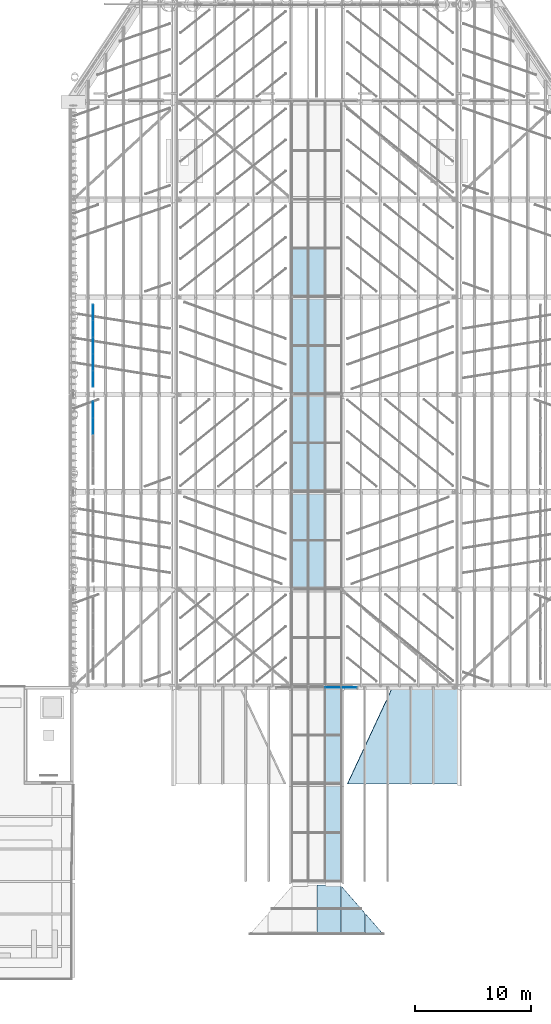
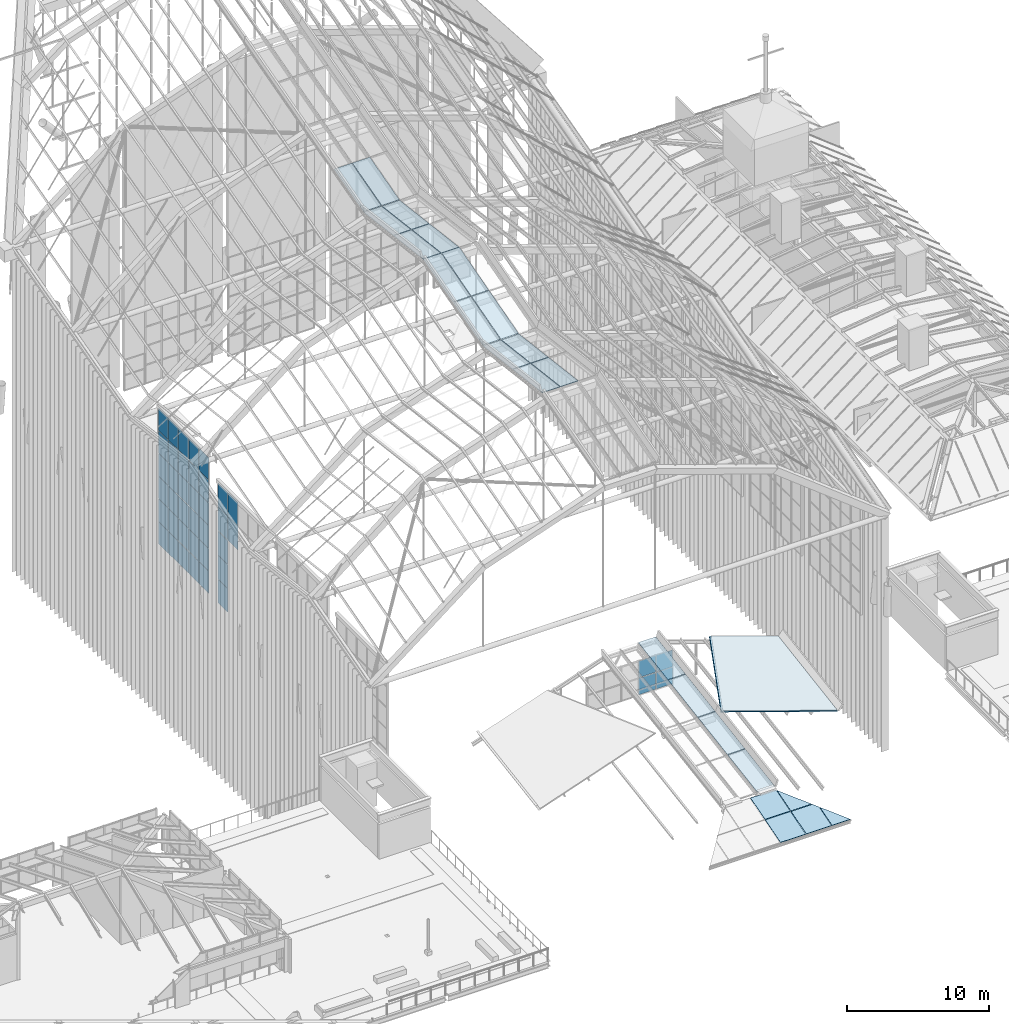
# One storey, part 72 of 126: 64 plates, 1 slab, 3 elements without a shape of their own.
"""IFC4 building model written with IfcOpenShell, lengths in metres."""

from ifc_helpers import new_model, si_unit, direction, frame, origin, origin_2d, place, context, subcontext, project, spatial, polyline, rectangle, outline, extrude, material, layer, layer_set, type_object, element, aggregate, save


model = new_model("IFC4")

# Units and contexts
model_context = context("Model", 3, precision=1e-05, world=origin(), true_north=direction((0.0, 1.0)))
body_context = subcontext(model_context, "Body", "Model", "MODEL_VIEW")
ifc_project = project(units=[si_unit("LENGTHUNIT", "METRE"), si_unit("AREAUNIT", "SQUARE_METRE"), si_unit("VOLUMEUNIT", "CUBIC_METRE"), si_unit("PLANEANGLEUNIT", "RADIAN"), si_unit("MASSUNIT", "GRAM", prefix="KILO")], contexts=[model_context])

# Site, building, storey
site_placement = place(None, origin())
site = spatial("IfcSite", under=ifc_project, at=site_placement, CompositionType="ELEMENT")
building_placement = place(site_placement, origin())
building = spatial("IfcBuilding", under=site, at=building_placement, Name="Sava Quay Ferry Terminal", CompositionType="ELEMENT")
storey_placement = place(building_placement, frame((0.0, 0.0, 15.0)))
storey = spatial("IfcBuildingStorey", under=building, at=storey_placement, Name="L03", CompositionType="ELEMENT", Elevation=15.0)

# Curtain wall, plates
ifc_material_1 = material(Name="Aluminium and glass curtain wall, double low-e glazed", Category="aluminium")
curtain_wall_type_1 = type_object("IfcCurtainWallType", Name="Curtain wall CW-G gable", PredefinedType="NOTDEFINED", material=ifc_material_1)
curtain_wall_1_placement = place(storey_placement, origin())
curtain_wall_1 = element("IfcCurtainWall", 1, at=curtain_wall_1_placement, inside=storey, type_object=curtain_wall_type_1, Name="Curtain wall D-S L03 bay 31", PredefinedType="NOTDEFINED")
ifc_material_2 = material(Name="Laminated glass, double low-e glazed unit", Category="glass")
ifc_layer_1 = layer(ifc_material_2, 0.028076171875)
ifc_layer_set_1 = layer_set([ifc_layer_1], Name="Laminated glass, double low-e glazed unit")
plate_type_1 = type_object("IfcPlateType", Name="Glass panel 28 double low-e", PredefinedType="CURTAIN_PANEL", material=ifc_layer_set_1)
plate_1_placement = place(storey_placement, frame((64.412109375, 50.31494140625, 0.0498046875), z_axis=(0.0, 0.0, 1.0), x_axis=(1.0, 0.0, 0.0)))
plate_1 = element("IfcPlate", 2, at=plate_1_placement, type_object=plate_type_1, Name="CW92 panel 4.1", PredefinedType="CURTAIN_PANEL", context=body_context, shape_type="SweptSolid", body=[
    extrude(rectangle(XDim=1.35205078125, YDim=0.028076171875, at=origin_2d()), origin(), (0.0, 0.0, 1.0), 1.425048828125),
])
plate_2_placement = place(storey_placement, frame((64.412109375, 50.31494140625, 1.52490234375), z_axis=(0.0, 0.0, 1.0), x_axis=(1.0, 0.0, 0.0)))
plate_2 = element("IfcPlate", 3, at=plate_2_placement, type_object=plate_type_1, Name="CW92 panel 4.2", PredefinedType="CURTAIN_PANEL", context=body_context, shape_type="SweptSolid", body=[
    extrude(rectangle(XDim=1.35205078125, YDim=0.028076171875, at=origin_2d()), origin(), (0.0, 0.0, 1.0), 1.425048828125),
])
plate_3_placement = place(storey_placement, frame((65.80908203125, 50.31494140625, 0.0498046875), z_axis=(0.0, 0.0, 1.0), x_axis=(1.0, 0.0, 0.0)))
plate_3 = element("IfcPlate", 4, at=plate_3_placement, type_object=plate_type_1, Name="CW92 panel 5.1", PredefinedType="CURTAIN_PANEL", context=body_context, shape_type="SweptSolid", body=[
    extrude(rectangle(XDim=1.322021484375, YDim=0.028076171875, at=origin_2d()), origin(), (0.0, 0.0, 1.0), 1.425048828125),
])
plate_4_placement = place(storey_placement, frame((65.80908203125, 50.31494140625, 1.52490234375), z_axis=(0.0, 0.0, 1.0), x_axis=(1.0, 0.0, 0.0)))
plate_4 = element("IfcPlate", 5, at=plate_4_placement, type_object=plate_type_1, Name="CW92 panel 5.2", PredefinedType="CURTAIN_PANEL", context=body_context, shape_type="SweptSolid", body=[
    extrude(rectangle(XDim=1.322021484375, YDim=0.028076171875, at=origin_2d()), origin(), (0.0, 0.0, 1.0), 1.425048828125),
])
aggregate(curtain_wall_1, [plate_1, plate_2, plate_3, plate_4])

ifc_material_3 = material(Name="Aluminium and glass curtain wall, double low-e glazed", Category="aluminium")
curtain_wall_type_2 = type_object("IfcCurtainWallType", Name="Curtain wall CW-F flank", PredefinedType="NOTDEFINED", material=ifc_material_3)
curtain_wall_2_placement = place(storey_placement, origin())
curtain_wall_2 = element("IfcCurtainWall", 6, at=curtain_wall_2_placement, inside=storey, type_object=curtain_wall_type_2, Name="Curtain wall D-W L03 bay 3", PredefinedType="NOTDEFINED")
plate_5_placement = place(storey_placement, frame((43.72509765625, 72.840087890625, 6.26513671875), z_axis=(0.0, 0.0, 1.0), x_axis=(0.0, 1.0, 0.0)))
plate_5 = element("IfcPlate", 7, at=plate_5_placement, type_object=plate_type_1, Name="CW106 panel 4.4", PredefinedType="CURTAIN_PANEL", context=body_context, shape_type="SweptSolid", body=[
    extrude(rectangle(XDim=1.3798828125, YDim=0.028076171875, at=origin_2d()), origin(), (0.0, 0.0, 1.0), 2.030029296875),
])
plate_6_placement = place(storey_placement, frame((43.72509765625, 72.840087890625, 8.344970703125), z_axis=(0.0, 0.0, 1.0), x_axis=(0.0, 1.0, 0.0)))
plate_6 = element("IfcPlate", 8, at=plate_6_placement, type_object=plate_type_1, Name="CW106 panel 4.5", PredefinedType="CURTAIN_PANEL", context=body_context, shape_type="SweptSolid", body=[
    extrude(rectangle(XDim=1.3798828125, YDim=0.028076171875, at=origin_2d()), origin(), (0.0, 0.0, 1.0), 2.0048828125),
])
plate_7_placement = place(storey_placement, frame((43.72509765625, 74.264892578125, 0.050048828125), z_axis=(0.0, 0.0, 1.0), x_axis=(0.0, 1.0, 0.0)))
plate_7 = element("IfcPlate", 9, at=plate_7_placement, type_object=plate_type_1, Name="CW106 panel 5.1", PredefinedType="CURTAIN_PANEL", context=body_context, shape_type="SweptSolid", body=[
    extrude(rectangle(XDim=1.35009765625, YDim=0.028076171875, at=origin_2d()), origin(), (0.0, 0.0, 1.0), 2.0048828125),
])
plate_8_placement = place(storey_placement, frame((43.72509765625, 74.264892578125, 2.10498046875), z_axis=(0.0, 0.0, 1.0), x_axis=(0.0, 1.0, 0.0)))
plate_8 = element("IfcPlate", 10, at=plate_8_placement, type_object=plate_type_1, Name="CW106 panel 5.2", PredefinedType="CURTAIN_PANEL", context=body_context, shape_type="SweptSolid", body=[
    extrude(rectangle(XDim=1.35009765625, YDim=0.028076171875, at=origin_2d()), origin(), (0.0, 0.0, 1.0), 2.030029296875),
])
plate_9_placement = place(storey_placement, frame((43.72509765625, 74.264892578125, 4.18505859375), z_axis=(0.0, 0.0, 1.0), x_axis=(0.0, 1.0, 0.0)))
plate_9 = element("IfcPlate", 11, at=plate_9_placement, type_object=plate_type_1, Name="CW106 panel 5.3", PredefinedType="CURTAIN_PANEL", context=body_context, shape_type="SweptSolid", body=[
    extrude(rectangle(XDim=1.35009765625, YDim=0.028076171875, at=origin_2d()), origin(), (0.0, 0.0, 1.0), 2.030029296875),
])
plate_10_placement = place(storey_placement, frame((43.72509765625, 74.264892578125, 6.26513671875), z_axis=(0.0, 0.0, 1.0), x_axis=(0.0, 1.0, 0.0)))
plate_10 = element("IfcPlate", 12, at=plate_10_placement, type_object=plate_type_1, Name="CW106 panel 5.4", PredefinedType="CURTAIN_PANEL", context=body_context, shape_type="SweptSolid", body=[
    extrude(rectangle(XDim=1.35009765625, YDim=0.028076171875, at=origin_2d()), origin(), (0.0, 0.0, 1.0), 2.030029296875),
])
plate_11_placement = place(storey_placement, frame((43.72509765625, 74.264892578125, 8.344970703125), z_axis=(0.0, 0.0, 1.0), x_axis=(0.0, 1.0, 0.0)))
plate_11 = element("IfcPlate", 13, at=plate_11_placement, type_object=plate_type_1, Name="CW106 panel 5.5", PredefinedType="CURTAIN_PANEL", context=body_context, shape_type="SweptSolid", body=[
    extrude(rectangle(XDim=1.35009765625, YDim=0.028076171875, at=origin_2d()), origin(), (0.0, 0.0, 1.0), 2.0048828125),
])
aggregate(curtain_wall_2, [plate_5, plate_6, plate_7, plate_8, plate_9, plate_10, plate_11])

curtain_wall_3_placement = place(storey_placement, origin())
curtain_wall_3 = element("IfcCurtainWall", 14, at=curtain_wall_3_placement, inside=storey, type_object=curtain_wall_type_2, Name="Curtain wall D-W L03 bay 4", PredefinedType="NOTDEFINED")
plate_12_placement = place(storey_placement, frame((43.72509765625, 76.93505859375, 0.050048828125), z_axis=(0.0, 0.0, 1.0), x_axis=(0.0, 1.0, 0.0)))
plate_12 = element("IfcPlate", 15, at=plate_12_placement, type_object=plate_type_1, Name="CW109 panel 1.1", PredefinedType="CURTAIN_PANEL", context=body_context, shape_type="SweptSolid", body=[
    extrude(rectangle(XDim=1.35009765625, YDim=0.028076171875, at=origin_2d()), origin(), (0.0, 0.0, 1.0), 1.88330078125),
])
plate_13_placement = place(storey_placement, frame((43.72509765625, 76.93505859375, 1.9833984375), z_axis=(0.0, 0.0, 1.0), x_axis=(0.0, 1.0, 0.0)))
plate_13 = element("IfcPlate", 16, at=plate_13_placement, type_object=plate_type_1, Name="CW109 panel 1.2", PredefinedType="CURTAIN_PANEL", context=body_context, shape_type="SweptSolid", body=[
    extrude(rectangle(XDim=1.35009765625, YDim=0.028076171875, at=origin_2d()), origin(), (0.0, 0.0, 1.0), 1.908447265625),
])
plate_14_placement = place(storey_placement, frame((43.72509765625, 76.93505859375, 3.941650390625), z_axis=(0.0, 0.0, 1.0), x_axis=(0.0, 1.0, 0.0)))
plate_14 = element("IfcPlate", 17, at=plate_14_placement, type_object=plate_type_1, Name="CW109 panel 1.3", PredefinedType="CURTAIN_PANEL", context=body_context, shape_type="SweptSolid", body=[
    extrude(rectangle(XDim=1.35009765625, YDim=0.028076171875, at=origin_2d()), origin(), (0.0, 0.0, 1.0), 1.908203125),
])
plate_15_placement = place(storey_placement, frame((43.72509765625, 76.93505859375, 5.900146484375), z_axis=(0.0, 0.0, 1.0), x_axis=(0.0, 1.0, 0.0)))
plate_15 = element("IfcPlate", 18, at=plate_15_placement, type_object=plate_type_1, Name="CW109 panel 1.4", PredefinedType="CURTAIN_PANEL", context=body_context, shape_type="SweptSolid", body=[
    extrude(rectangle(XDim=1.35009765625, YDim=0.028076171875, at=origin_2d()), origin(), (0.0, 0.0, 1.0), 1.908203125),
])
plate_16_placement = place(storey_placement, frame((43.72509765625, 76.93505859375, 7.8583984375), z_axis=(0.0, 0.0, 1.0), x_axis=(0.0, 1.0, 0.0)))
plate_16 = element("IfcPlate", 19, at=plate_16_placement, type_object=plate_type_1, Name="CW109 panel 1.5", PredefinedType="CURTAIN_PANEL", context=body_context, shape_type="SweptSolid", body=[
    extrude(rectangle(XDim=1.35009765625, YDim=0.028076171875, at=origin_2d()), origin(), (0.0, 0.0, 1.0), 1.908447265625),
])
plate_17_placement = place(storey_placement, frame((43.72509765625, 76.93505859375, 9.816650390625), z_axis=(0.0, 0.0, 1.0), x_axis=(0.0, 1.0, 0.0)))
plate_17 = element("IfcPlate", 20, at=plate_17_placement, type_object=plate_type_1, Name="CW109 panel 1.6", PredefinedType="CURTAIN_PANEL", context=body_context, shape_type="SweptSolid", body=[
    extrude(rectangle(XDim=1.35009765625, YDim=0.028076171875, at=origin_2d()), origin(), (0.0, 0.0, 1.0), 1.88330078125),
])
plate_18_placement = place(storey_placement, frame((43.72509765625, 78.360107421875, 0.050048828125), z_axis=(0.0, 0.0, 1.0), x_axis=(0.0, 1.0, 0.0)))
plate_18 = element("IfcPlate", 21, at=plate_18_placement, type_object=plate_type_1, Name="CW109 panel 2.1", PredefinedType="CURTAIN_PANEL", context=body_context, shape_type="SweptSolid", body=[
    extrude(rectangle(XDim=1.3798828125, YDim=0.028076171875, at=origin_2d()), origin(), (0.0, 0.0, 1.0), 1.88330078125),
])
plate_19_placement = place(storey_placement, frame((43.72509765625, 78.360107421875, 1.9833984375), z_axis=(0.0, 0.0, 1.0), x_axis=(0.0, 1.0, 0.0)))
plate_19 = element("IfcPlate", 22, at=plate_19_placement, type_object=plate_type_1, Name="CW109 panel 2.2", PredefinedType="CURTAIN_PANEL", context=body_context, shape_type="SweptSolid", body=[
    extrude(rectangle(XDim=1.3798828125, YDim=0.028076171875, at=origin_2d()), origin(), (0.0, 0.0, 1.0), 1.908447265625),
])
plate_20_placement = place(storey_placement, frame((43.72509765625, 78.360107421875, 3.941650390625), z_axis=(0.0, 0.0, 1.0), x_axis=(0.0, 1.0, 0.0)))
plate_20 = element("IfcPlate", 23, at=plate_20_placement, type_object=plate_type_1, Name="CW109 panel 2.3", PredefinedType="CURTAIN_PANEL", context=body_context, shape_type="SweptSolid", body=[
    extrude(rectangle(XDim=1.3798828125, YDim=0.028076171875, at=origin_2d()), origin(), (0.0, 0.0, 1.0), 1.908203125),
])
plate_21_placement = place(storey_placement, frame((43.72509765625, 78.360107421875, 5.900146484375), z_axis=(0.0, 0.0, 1.0), x_axis=(0.0, 1.0, 0.0)))
plate_21 = element("IfcPlate", 24, at=plate_21_placement, type_object=plate_type_1, Name="CW109 panel 2.4", PredefinedType="CURTAIN_PANEL", context=body_context, shape_type="SweptSolid", body=[
    extrude(rectangle(XDim=1.3798828125, YDim=0.028076171875, at=origin_2d()), origin(), (0.0, 0.0, 1.0), 1.908203125),
])
plate_22_placement = place(storey_placement, frame((43.72509765625, 78.360107421875, 7.8583984375), z_axis=(0.0, 0.0, 1.0), x_axis=(0.0, 1.0, 0.0)))
plate_22 = element("IfcPlate", 25, at=plate_22_placement, type_object=plate_type_1, Name="CW109 panel 2.5", PredefinedType="CURTAIN_PANEL", context=body_context, shape_type="SweptSolid", body=[
    extrude(rectangle(XDim=1.3798828125, YDim=0.028076171875, at=origin_2d()), origin(), (0.0, 0.0, 1.0), 1.908447265625),
])
plate_23_placement = place(storey_placement, frame((43.72509765625, 78.360107421875, 9.816650390625), z_axis=(0.0, 0.0, 1.0), x_axis=(0.0, 1.0, 0.0)))
plate_23 = element("IfcPlate", 26, at=plate_23_placement, type_object=plate_type_1, Name="CW109 panel 2.6", PredefinedType="CURTAIN_PANEL", context=body_context, shape_type="SweptSolid", body=[
    extrude(rectangle(XDim=1.3798828125, YDim=0.028076171875, at=origin_2d()), origin(), (0.0, 0.0, 1.0), 1.88330078125),
])
plate_24_placement = place(storey_placement, frame((43.72509765625, 79.800048828125, 0.050048828125), z_axis=(0.0, 0.0, 1.0), x_axis=(0.0, 1.0, 0.0)))
plate_24 = element("IfcPlate", 27, at=plate_24_placement, type_object=plate_type_1, Name="CW109 panel 3.1", PredefinedType="CURTAIN_PANEL", context=body_context, shape_type="SweptSolid", body=[
    extrude(rectangle(XDim=1.3798828125, YDim=0.028076171875, at=origin_2d()), origin(), (0.0, 0.0, 1.0), 1.88330078125),
])
plate_25_placement = place(storey_placement, frame((43.72509765625, 79.800048828125, 1.9833984375), z_axis=(0.0, 0.0, 1.0), x_axis=(0.0, 1.0, 0.0)))
plate_25 = element("IfcPlate", 28, at=plate_25_placement, type_object=plate_type_1, Name="CW109 panel 3.2", PredefinedType="CURTAIN_PANEL", context=body_context, shape_type="SweptSolid", body=[
    extrude(rectangle(XDim=1.3798828125, YDim=0.028076171875, at=origin_2d()), origin(), (0.0, 0.0, 1.0), 1.908447265625),
])
plate_26_placement = place(storey_placement, frame((43.72509765625, 79.800048828125, 3.941650390625), z_axis=(0.0, 0.0, 1.0), x_axis=(0.0, 1.0, 0.0)))
plate_26 = element("IfcPlate", 29, at=plate_26_placement, type_object=plate_type_1, Name="CW109 panel 3.3", PredefinedType="CURTAIN_PANEL", context=body_context, shape_type="SweptSolid", body=[
    extrude(rectangle(XDim=1.3798828125, YDim=0.028076171875, at=origin_2d()), origin(), (0.0, 0.0, 1.0), 1.908203125),
])
plate_27_placement = place(storey_placement, frame((43.72509765625, 79.800048828125, 5.900146484375), z_axis=(0.0, 0.0, 1.0), x_axis=(0.0, 1.0, 0.0)))
plate_27 = element("IfcPlate", 30, at=plate_27_placement, type_object=plate_type_1, Name="CW109 panel 3.4", PredefinedType="CURTAIN_PANEL", context=body_context, shape_type="SweptSolid", body=[
    extrude(rectangle(XDim=1.3798828125, YDim=0.028076171875, at=origin_2d()), origin(), (0.0, 0.0, 1.0), 1.908203125),
])
plate_28_placement = place(storey_placement, frame((43.72509765625, 79.800048828125, 7.8583984375), z_axis=(0.0, 0.0, 1.0), x_axis=(0.0, 1.0, 0.0)))
plate_28 = element("IfcPlate", 31, at=plate_28_placement, type_object=plate_type_1, Name="CW109 panel 3.5", PredefinedType="CURTAIN_PANEL", context=body_context, shape_type="SweptSolid", body=[
    extrude(rectangle(XDim=1.3798828125, YDim=0.028076171875, at=origin_2d()), origin(), (0.0, 0.0, 1.0), 1.908447265625),
])
plate_29_placement = place(storey_placement, frame((43.72509765625, 79.800048828125, 9.816650390625), z_axis=(0.0, 0.0, 1.0), x_axis=(0.0, 1.0, 0.0)))
plate_29 = element("IfcPlate", 32, at=plate_29_placement, type_object=plate_type_1, Name="CW109 panel 3.6", PredefinedType="CURTAIN_PANEL", context=body_context, shape_type="SweptSolid", body=[
    extrude(rectangle(XDim=1.3798828125, YDim=0.028076171875, at=origin_2d()), origin(), (0.0, 0.0, 1.0), 1.88330078125),
])
plate_30_placement = place(storey_placement, frame((43.72509765625, 81.239990234375, 0.050048828125), z_axis=(0.0, 0.0, 1.0), x_axis=(0.0, 1.0, 0.0)))
plate_30 = element("IfcPlate", 33, at=plate_30_placement, type_object=plate_type_1, Name="CW109 panel 4.1", PredefinedType="CURTAIN_PANEL", context=body_context, shape_type="SweptSolid", body=[
    extrude(rectangle(XDim=1.3798828125, YDim=0.028076171875, at=origin_2d()), origin(), (0.0, 0.0, 1.0), 1.88330078125),
])
plate_31_placement = place(storey_placement, frame((43.72509765625, 81.239990234375, 1.9833984375), z_axis=(0.0, 0.0, 1.0), x_axis=(0.0, 1.0, 0.0)))
plate_31 = element("IfcPlate", 34, at=plate_31_placement, type_object=plate_type_1, Name="CW109 panel 4.2", PredefinedType="CURTAIN_PANEL", context=body_context, shape_type="SweptSolid", body=[
    extrude(rectangle(XDim=1.3798828125, YDim=0.028076171875, at=origin_2d()), origin(), (0.0, 0.0, 1.0), 1.908447265625),
])
plate_32_placement = place(storey_placement, frame((43.72509765625, 81.239990234375, 3.941650390625), z_axis=(0.0, 0.0, 1.0), x_axis=(0.0, 1.0, 0.0)))
plate_32 = element("IfcPlate", 35, at=plate_32_placement, type_object=plate_type_1, Name="CW109 panel 4.3", PredefinedType="CURTAIN_PANEL", context=body_context, shape_type="SweptSolid", body=[
    extrude(rectangle(XDim=1.3798828125, YDim=0.028076171875, at=origin_2d()), origin(), (0.0, 0.0, 1.0), 1.908203125),
])
plate_33_placement = place(storey_placement, frame((43.72509765625, 81.239990234375, 5.900146484375), z_axis=(0.0, 0.0, 1.0), x_axis=(0.0, 1.0, 0.0)))
plate_33 = element("IfcPlate", 36, at=plate_33_placement, type_object=plate_type_1, Name="CW109 panel 4.4", PredefinedType="CURTAIN_PANEL", context=body_context, shape_type="SweptSolid", body=[
    extrude(rectangle(XDim=1.3798828125, YDim=0.028076171875, at=origin_2d()), origin(), (0.0, 0.0, 1.0), 1.908203125),
])
plate_34_placement = place(storey_placement, frame((43.72509765625, 81.239990234375, 7.8583984375), z_axis=(0.0, 0.0, 1.0), x_axis=(0.0, 1.0, 0.0)))
plate_34 = element("IfcPlate", 37, at=plate_34_placement, type_object=plate_type_1, Name="CW109 panel 4.5", PredefinedType="CURTAIN_PANEL", context=body_context, shape_type="SweptSolid", body=[
    extrude(rectangle(XDim=1.3798828125, YDim=0.028076171875, at=origin_2d()), origin(), (0.0, 0.0, 1.0), 1.908447265625),
])
plate_35_placement = place(storey_placement, frame((43.72509765625, 81.239990234375, 9.816650390625), z_axis=(0.0, 0.0, 1.0), x_axis=(0.0, 1.0, 0.0)))
plate_35 = element("IfcPlate", 38, at=plate_35_placement, type_object=plate_type_1, Name="CW109 panel 4.6", PredefinedType="CURTAIN_PANEL", context=body_context, shape_type="SweptSolid", body=[
    extrude(rectangle(XDim=1.3798828125, YDim=0.028076171875, at=origin_2d()), origin(), (0.0, 0.0, 1.0), 1.88330078125),
])
plate_36_placement = place(storey_placement, frame((43.72509765625, 82.6650390625, 0.050048828125), z_axis=(0.0, 0.0, 1.0), x_axis=(0.0, 1.0, 0.0)))
plate_36 = element("IfcPlate", 39, at=plate_36_placement, type_object=plate_type_1, Name="CW109 panel 5.1", PredefinedType="CURTAIN_PANEL", context=body_context, shape_type="SweptSolid", body=[
    extrude(rectangle(XDim=1.35009765625, YDim=0.028076171875, at=origin_2d()), origin(), (0.0, 0.0, 1.0), 1.88330078125),
])
plate_37_placement = place(storey_placement, frame((43.72509765625, 82.6650390625, 1.9833984375), z_axis=(0.0, 0.0, 1.0), x_axis=(0.0, 1.0, 0.0)))
plate_37 = element("IfcPlate", 40, at=plate_37_placement, type_object=plate_type_1, Name="CW109 panel 5.2", PredefinedType="CURTAIN_PANEL", context=body_context, shape_type="SweptSolid", body=[
    extrude(rectangle(XDim=1.35009765625, YDim=0.028076171875, at=origin_2d()), origin(), (0.0, 0.0, 1.0), 1.908447265625),
])
plate_38_placement = place(storey_placement, frame((43.72509765625, 82.6650390625, 3.941650390625), z_axis=(0.0, 0.0, 1.0), x_axis=(0.0, 1.0, 0.0)))
plate_38 = element("IfcPlate", 41, at=plate_38_placement, type_object=plate_type_1, Name="CW109 panel 5.3", PredefinedType="CURTAIN_PANEL", context=body_context, shape_type="SweptSolid", body=[
    extrude(rectangle(XDim=1.35009765625, YDim=0.028076171875, at=origin_2d()), origin(), (0.0, 0.0, 1.0), 1.908203125),
])
plate_39_placement = place(storey_placement, frame((43.72509765625, 82.6650390625, 5.900146484375), z_axis=(0.0, 0.0, 1.0), x_axis=(0.0, 1.0, 0.0)))
plate_39 = element("IfcPlate", 42, at=plate_39_placement, type_object=plate_type_1, Name="CW109 panel 5.4", PredefinedType="CURTAIN_PANEL", context=body_context, shape_type="SweptSolid", body=[
    extrude(rectangle(XDim=1.35009765625, YDim=0.028076171875, at=origin_2d()), origin(), (0.0, 0.0, 1.0), 1.908203125),
])
plate_40_placement = place(storey_placement, frame((43.72509765625, 82.6650390625, 7.8583984375), z_axis=(0.0, 0.0, 1.0), x_axis=(0.0, 1.0, 0.0)))
plate_40 = element("IfcPlate", 43, at=plate_40_placement, type_object=plate_type_1, Name="CW109 panel 5.5", PredefinedType="CURTAIN_PANEL", context=body_context, shape_type="SweptSolid", body=[
    extrude(rectangle(XDim=1.35009765625, YDim=0.028076171875, at=origin_2d()), origin(), (0.0, 0.0, 1.0), 1.908447265625),
])
plate_41_placement = place(storey_placement, frame((43.72509765625, 82.6650390625, 9.816650390625), z_axis=(0.0, 0.0, 1.0), x_axis=(0.0, 1.0, 0.0)))
plate_41 = element("IfcPlate", 44, at=plate_41_placement, type_object=plate_type_1, Name="CW109 panel 5.6", PredefinedType="CURTAIN_PANEL", context=body_context, shape_type="SweptSolid", body=[
    extrude(rectangle(XDim=1.35009765625, YDim=0.028076171875, at=origin_2d()), origin(), (0.0, 0.0, 1.0), 1.88330078125),
])
aggregate(curtain_wall_3, [plate_12, plate_13, plate_14, plate_15, plate_16, plate_17, plate_18, plate_19, plate_20, plate_21, plate_22, plate_23, plate_24, plate_25, plate_26, plate_27, plate_28, plate_29, plate_30, plate_31, plate_32, plate_33, plate_34, plate_35, plate_36, plate_37, plate_38, plate_39, plate_40, plate_41])

# Slab
ifc_material_4 = material(Name="Cross laminated timber C24", Category="wood")
ifc_layer_2 = layer(ifc_material_4, 0.10009765625)
ifc_layer_set_2 = layer_set([ifc_layer_2], Name="Cross laminated timber C24")
slab_type = type_object("IfcSlabType", Name="Roof deck CLT 100", PredefinedType="ROOF", material=ifc_layer_set_2)
slab_placement = place(storey_placement, frame((75.1474609375, 50.389892578125, 1.076416015625), z_axis=(0.32188374634, -0.150013950209, 0.934819056601), x_axis=(-8.83927e-07, -0.987367594822, -0.158446308556)))
element("IfcSlab", 45, at=slab_placement, inside=storey, type_object=slab_type, Name="Arrivals hall roof deck bay 2 facet 4 (lower part)", PredefinedType="ROOF", context=body_context, shape_type="SweptSolid", body=[
    extrude(outline(polyline([(0.0, 0.0), (8.487091697312028, -5.551115123125783e-17), (7.969248346128434, -10.025501525185124), (-0.30477984353003723, -5.9004607956322594), (0.0, 0.0)])), origin(), (0.0, 0.0, -1.0), 0.10009765625),
])

# Plates
ifc_material_5 = material(Name="Laminated glass", Category="glass")
ifc_layer_3 = layer(ifc_material_5, 0.0400390625)
ifc_layer_set_3 = layer_set([ifc_layer_3], Name="Laminated glass")
plate_type_2 = type_object("IfcPlateType", Name="Skylight glass 40", PredefinedType="SHEET", material=ifc_layer_set_3)
plate_42_placement = place(storey_placement, frame((60.80859375, 58.820068359375, 21.927001953125), z_axis=(0.0, 0.123239026143, 0.992377016277), x_axis=(0.0, 0.992377016277, -0.123239026143)))
element("IfcPlate", 46, at=plate_42_placement, inside=storey, type_object=plate_type_2, Name="Departure hall skylight glass D-B1-F2-K00", PredefinedType="SHEET", context=body_context, shape_type="SweptSolid", body=[
    extrude(outline(polyline([(0.0, 0.0), (4.19186664054359, 0.0), (4.19186664054359, -1.434326171875), (0.0, -1.434326171875), (0.0, 0.0)])), origin(), (0.0, 0.0, -1.0), 0.0400390625),
])
plate_43_placement = place(storey_placement, frame((60.80859375, 63.02001953125, 21.4052734375), z_axis=(0.0, 0.123181668583, 0.992384137582), x_axis=(0.0, 0.992384137582, -0.123181668583)))
element("IfcPlate", 47, at=plate_43_placement, inside=storey, type_object=plate_type_2, Name="Departure hall skylight glass D-B1-F2-K01", PredefinedType="SHEET", context=body_context, shape_type="SweptSolid", body=[
    extrude(outline(polyline([(0.0, 0.0), (4.191836559892353, 0.0), (4.191836559892353, -1.4343261718750002), (0.0, -1.4343261718750002), (0.0, 0.0)])), origin(), (0.0, 0.0, -1.0), 0.0400390625),
])
plate_44_placement = place(storey_placement, frame((62.282958984375, 58.820068359375, 21.927001953125), z_axis=(0.0, 0.123239026143, 0.992377016277), x_axis=(0.0, 0.992377016277, -0.123239026143)))
element("IfcPlate", 48, at=plate_44_placement, inside=storey, type_object=plate_type_2, Name="Departure hall skylight glass D-B1-F2-K10", PredefinedType="SHEET", context=body_context, shape_type="SweptSolid", body=[
    extrude(outline(polyline([(0.0, 0.0), (4.19186664054359, 0.0), (4.19186664054359, -1.43408203125), (0.0, -1.43408203125), (0.0, 0.0)])), origin(), (0.0, 0.0, -1.0), 0.0400390625),
])
plate_45_placement = place(storey_placement, frame((62.282958984375, 63.02001953125, 21.4052734375), z_axis=(0.0, 0.123181668583, 0.992384137582), x_axis=(0.0, 0.992384137582, -0.123181668583)))
element("IfcPlate", 49, at=plate_45_placement, inside=storey, type_object=plate_type_2, Name="Departure hall skylight glass D-B1-F2-K11", PredefinedType="SHEET", context=body_context, shape_type="SweptSolid", body=[
    extrude(outline(polyline([(0.0, 0.0), (4.191836559892353, 0.0), (4.191836559892353, -1.4340820312500002), (0.0, -1.4340820312500002), (0.0, 0.0)])), origin(), (0.0, 0.0, -1.0), 0.0400390625),
])
plate_46_placement = place(storey_placement, frame((60.811767578125, 67.219970703125, 20.91259765625), z_axis=(0.0, -0.270210443642, 0.962801285908), x_axis=(0.0, 0.962801285908, 0.270210443642)))
element("IfcPlate", 50, at=plate_46_placement, inside=storey, type_object=plate_type_2, Name="Departure hall skylight glass D-B2-F2-K00", PredefinedType="SHEET", context=body_context, shape_type="SweptSolid", body=[
    extrude(outline(polyline([(0.0, 0.0), (4.32063414357632, 0.0), (4.32063414357632, -1.43212890625), (0.0, -1.43212890625), (0.0, 0.0)])), origin(), (0.0, 0.0, -1.0), 0.0400390625),
])
plate_47_placement = place(storey_placement, frame((60.811767578125, 71.419921875, 22.09130859375), z_axis=(0.0, -0.27014336509, 0.962820109002), x_axis=(0.0, 0.962820109002, 0.27014336509)))
element("IfcPlate", 51, at=plate_47_placement, inside=storey, type_object=plate_type_2, Name="Departure hall skylight glass D-B2-F2-K01", PredefinedType="SHEET", context=body_context, shape_type="SweptSolid", body=[
    extrude(outline(polyline([(0.0, 0.0), (4.320803243623667, 0.0), (4.320803243623667, -1.43212890625), (0.0, -1.43212890625), (0.0, 0.0)])), origin(), (0.0, 0.0, -1.0), 0.0400390625),
])
plate_48_placement = place(storey_placement, frame((62.283935546875, 67.219970703125, 20.91259765625), z_axis=(0.0, -0.270210443642, 0.962801285908), x_axis=(0.0, 0.962801285908, 0.270210443642)))
element("IfcPlate", 52, at=plate_48_placement, inside=storey, type_object=plate_type_2, Name="Departure hall skylight glass D-B2-F2-K10", PredefinedType="SHEET", context=body_context, shape_type="SweptSolid", body=[
    extrude(outline(polyline([(0.0, 0.0), (4.32063414357632, 0.0), (4.32063414357632, -1.43212890625), (0.0, -1.43212890625), (0.0, 0.0)])), origin(), (0.0, 0.0, -1.0), 0.0400390625),
])
plate_49_placement = place(storey_placement, frame((62.283935546875, 71.419921875, 22.09130859375), z_axis=(0.0, -0.27014336509, 0.962820109002), x_axis=(0.0, 0.962820109002, 0.27014336509)))
element("IfcPlate", 53, at=plate_49_placement, inside=storey, type_object=plate_type_2, Name="Departure hall skylight glass D-B2-F2-K11", PredefinedType="SHEET", context=body_context, shape_type="SweptSolid", body=[
    extrude(outline(polyline([(0.0, 0.0), (4.320803243623667, 0.0), (4.320803243623667, -1.43212890625), (0.0, -1.43212890625), (0.0, 0.0)])), origin(), (0.0, 0.0, -1.0), 0.0400390625),
])
for number, where, z_axis, x_axis, name in (
    (54, (60.80859375, 75.6201171875, 23.240966796875), (0.0, 0.123124309789, 0.992391255674), (0.0, 0.992391255674, -0.123124309789), "Departure hall skylight glass D-B3-F2-K00"),
    (55, (60.80859375, 79.820068359375, 22.719970703125), (0.0, 0.123124309789, 0.992391255674), (0.0, 0.992391255674, -0.123124309789), "Departure hall skylight glass D-B3-F2-K01"),
):
    element("IfcPlate", number, at=place(storey_placement, frame(where, z_axis=z_axis, x_axis=x_axis)), inside=storey, type_object=plate_type_2, Name=name, PredefinedType="SHEET", context=body_context, shape_type="SweptSolid", body=[
        extrude(outline(polyline([(0.0, 0.0), (4.191806493244578, 0.0), (4.191806493244578, -1.4343261718750002), (0.0, -1.4343261718750002), (0.0, 0.0)])), origin(), (0.0, 0.0, -1.0), 0.0400390625),
    ])
for number, where, z_axis, x_axis, name in (
    (56, (62.282958984375, 75.6201171875, 23.240966796875), (0.0, 0.123124309789, 0.992391255674), (0.0, 0.992391255674, -0.123124309789), "Departure hall skylight glass D-B3-F2-K10"),
    (57, (62.282958984375, 79.820068359375, 22.719970703125), (0.0, 0.123124309789, 0.992391255674), (0.0, 0.992391255674, -0.123124309789), "Departure hall skylight glass D-B3-F2-K11"),
):
    element("IfcPlate", number, at=place(storey_placement, frame(where, z_axis=z_axis, x_axis=x_axis)), inside=storey, type_object=plate_type_2, Name=name, PredefinedType="SHEET", context=body_context, shape_type="SweptSolid", body=[
        extrude(outline(polyline([(0.0, 0.0), (4.191806493244578, 0.0), (4.191806493244578, -1.43408203125), (0.0, -1.43408203125), (0.0, 0.0)])), origin(), (0.0, 0.0, -1.0), 0.0400390625),
    ])
for number, where, z_axis, x_axis, name in (
    (58, (60.811767578125, 84.02001953125, 22.226318359375), (0.0, -0.263854988926, 0.964562359217), (0.0, 0.964562359217, 0.263854988926), "Departure hall skylight glass D-B4-F2-K00"),
    (59, (62.283935546875, 84.02001953125, 22.226318359375), (0.0, -0.263854988926, 0.964562359217), (0.0, 0.964562359217, 0.263854988926), "Departure hall skylight glass D-B4-F2-K10"),
):
    element("IfcPlate", number, at=place(storey_placement, frame(where, z_axis=z_axis, x_axis=x_axis)), inside=storey, type_object=plate_type_2, Name=name, PredefinedType="SHEET", context=body_context, shape_type="SweptSolid", body=[
        extrude(outline(polyline([(0.0, 0.0), (4.312745640158156, 0.0), (4.312745640158156, -1.43212890625), (0.0, -1.43212890625), (0.0, 0.0)])), origin(), (0.0, 0.0, -1.0), 0.0400390625),
    ])
for number, where, z_axis, x_axis, name in (
    (60, (63.7529296875, 33.6201171875, 1.809814453125), (0.0, -0.158541918446, 0.987352247223), (0.0, 0.987352247223, 0.158541918446), "Arrivals hall skylight glass A-B0-F2-K20"),
    (61, (63.7529296875, 37.820068359375, 2.484375), (0.0, -0.158541918446, 0.987352247223), (0.0, 0.987352247223, 0.158541918446), "Arrivals hall skylight glass A-B0-F2-K21"),
):
    element("IfcPlate", number, at=place(storey_placement, frame(where, z_axis=z_axis, x_axis=x_axis)), inside=storey, type_object=plate_type_2, Name=name, PredefinedType="SHEET", context=body_context, shape_type="SweptSolid", body=[
        extrude(outline(polyline([(0.0, 0.0), (4.21319961652677, 0.0), (4.21319961652677, -1.4260253906250002), (0.0, -1.4260253906250002), (0.0, 0.0)])), origin(), (0.0, 0.0, -1.0), 0.0400390625),
    ])
for number, where, z_axis, x_axis, name in (
    (62, (63.7529296875, 42.02001953125, 3.15869140625), (0.0, -0.158485427579, 0.987361316462), (0.0, 0.987361316462, 0.158485427579), "Arrivals hall skylight glass A-B1-F2-K20"),
    (63, (63.7529296875, 46.219970703125, 3.832763671875), (0.0, -0.158485427579, 0.987361316462), (0.0, 0.987361316462, 0.158485427579), "Arrivals hall skylight glass A-B1-F2-K21"),
):
    element("IfcPlate", number, at=place(storey_placement, frame(where, z_axis=z_axis, x_axis=x_axis)), inside=storey, type_object=plate_type_2, Name=name, PredefinedType="SHEET", context=body_context, shape_type="SweptSolid", body=[
        extrude(outline(polyline([(0.0, 0.0), (4.213160916899539, 0.0), (4.213160916899539, -1.426025390625), (0.0, -1.426025390625), (0.0, 0.0)])), origin(), (0.0, 0.0, -1.0), 0.0400390625),
    ])
plate_50_placement = place(storey_placement, frame((63.02001953125, 29.075439453125, 0.46484375), z_axis=(0.0, -0.287967098852, 0.957640303025), x_axis=(0.0, 0.957640303025, 0.287967098852)))
element("IfcPlate", 64, at=plate_50_placement, inside=storey, type_object=plate_type_2, Name="Arrivals hall stern glass AS-E-K6.5", PredefinedType="SHEET", context=body_context, shape_type="SweptSolid", body=[
    extrude(outline(polyline([(0.0, 0.0), (2.2424504594423333, 0.0), (2.2424504594423333, -2.06005859375), (0.0, -2.06005859375), (0.0, 0.0)])), origin(), (0.0, 0.0, -1.0), 0.0400390625),
])
plate_51_placement = place(storey_placement, frame((65.080078125, 31.260986328125, 1.1220703125), z_axis=(-7.615185e-06, -0.287937344247, 0.957649249846), x_axis=(-0.999999999971, 2.192696e-06, -7.292676e-06)))
element("IfcPlate", 65, at=plate_51_placement, inside=storey, type_object=plate_type_2, Name="Arrivals hall stern glass AS-E-K6.6", PredefinedType="SHEET", context=body_context, shape_type="SweptSolid", body=[
    extrude(outline(polyline([(0.0, 0.0), (2.060058593690268, -8.72468751090306e-22), (2.0600585936927454, -2.128217449224723), (0.04272460937623882, -2.128217449224723), (-2.3645223377442447e-10, -2.077239399754506), (0.0, 0.0)])), origin(), (0.0, 0.0, -1.0), 0.0400390625),
])
plate_52_placement = place(storey_placement, frame((67.179931640625, 29.075439453125, 0.46484375), z_axis=(-1.0961451e-05, -0.287968641676, 0.957639839027), x_axis=(-0.99999999994, 3.156554e-06, -1.0497122e-05)))
element("IfcPlate", 66, at=plate_52_placement, inside=storey, type_object=plate_type_2, Name="Arrivals hall stern glass AS-E-K7.5", PredefinedType="SHEET", context=body_context, shape_type="SweptSolid", body=[
    extrude(outline(polyline([(0.0, 0.0), (2.059814453001253, -8.723653535137368e-22), (2.059814453040855, -2.2424504594394237), (0.32958984376980066, -2.2424504594394237), (-4.5538611792984e-10, -1.8480719805696173), (0.0, 0.0)])), origin(), (0.0, 0.0, -1.0), 0.0400390625),
])
plate_53_placement = place(storey_placement, frame((65.1201171875, 31.260986328125, 1.1220703125), z_axis=(0.0, -0.28801004596, 0.957627387571), x_axis=(0.0, 0.957627387571, 0.28801004596)))
element("IfcPlate", 67, at=plate_53_placement, inside=storey, type_object=plate_type_2, Name="Arrivals hall stern glass AS-E-K7.6", PredefinedType="SHEET", context=body_context, shape_type="SweptSolid", body=[
    extrude(outline(polyline([(0.0, 0.0), (2.0293481579818486, 0.0), (0.0, -1.69677734375), (0.0, 0.0)])), origin(), (0.0, 0.0, -1.0), 0.0400390625),
])
plate_54_placement = place(storey_placement, frame((67.219970703125, 29.075439453125, 0.46484375), z_axis=(0.0, -0.288019606851, 0.957624512045), x_axis=(0.0, 0.957624512045, 0.288019606851)))
element("IfcPlate", 68, at=plate_54_placement, inside=storey, type_object=plate_type_2, Name="Arrivals hall stern glass AS-E-K8.5", PredefinedType="SHEET", context=body_context, shape_type="SweptSolid", body=[
    extrude(outline(polyline([(0.0, 0.0), (1.8004145383333026, 0.0), (0.0, -1.505615234375), (0.0, 0.0)])), origin(), (0.0, 0.0, -1.0), 0.0400390625),
])

save(model, "model.ifc")
